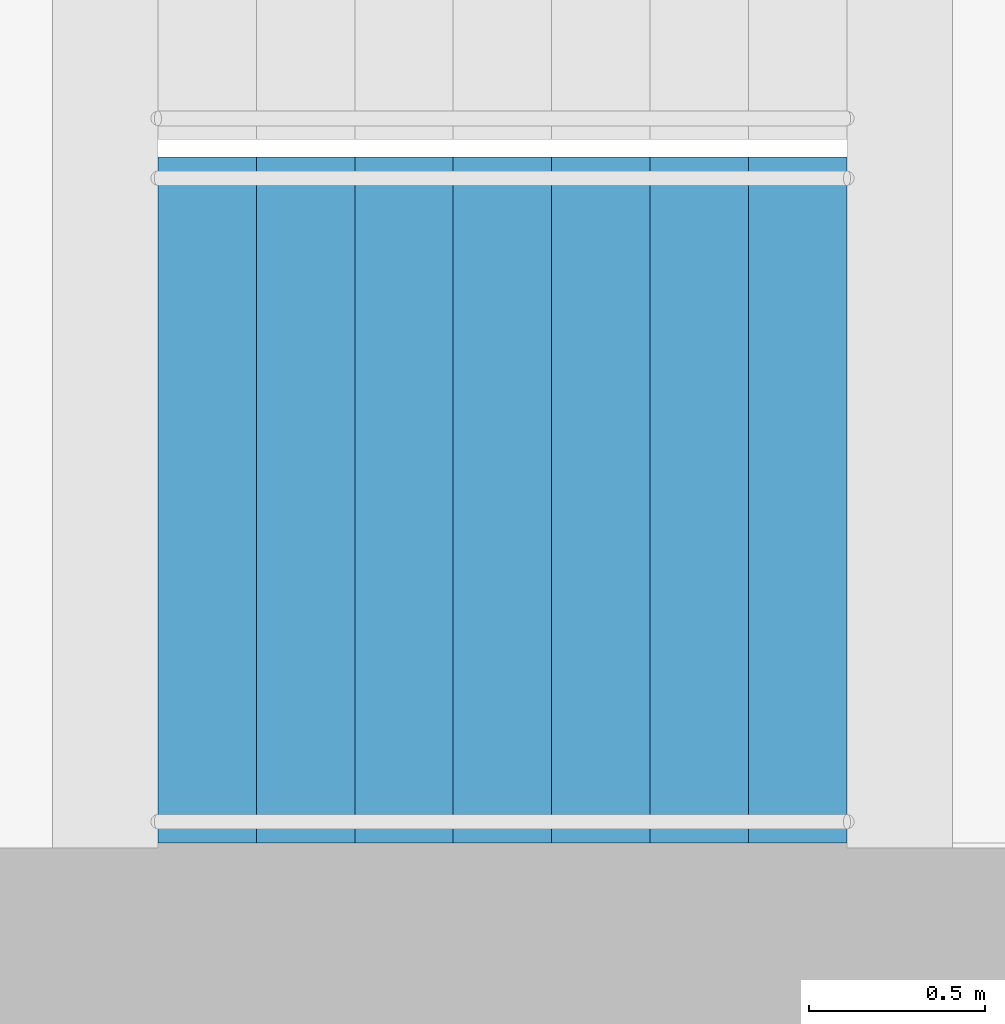
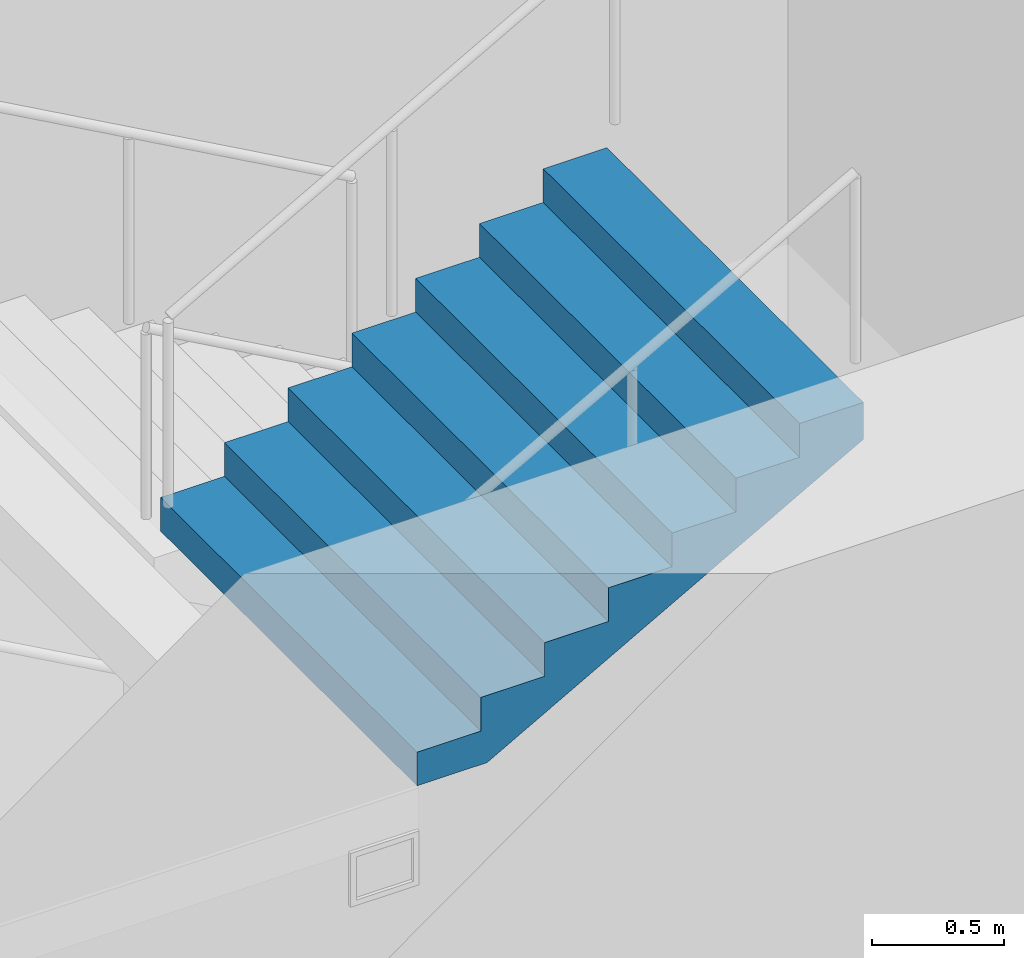
# One storey, part 25 of 37: 1 stair flight, 1 element without a shape of its own.
"""IFC4 building model written with IfcOpenShell, lengths in metres."""

from ifc_helpers import new_model, si_unit, direction, frame, origin, place, context, subcontext, project, spatial, triangles, material, type_object, element, aggregate, save


model = new_model("IFC4")

# Units and contexts
model_context = context("Model", 3, precision=1e-05, world=origin(), true_north=direction((0.0, 1.0)))
body_context = subcontext(model_context, "Body", "Model", "MODEL_VIEW")
ifc_project = project(units=[si_unit("LENGTHUNIT", "METRE"), si_unit("AREAUNIT", "SQUARE_METRE"), si_unit("VOLUMEUNIT", "CUBIC_METRE"), si_unit("PLANEANGLEUNIT", "RADIAN"), si_unit("MASSUNIT", "GRAM", prefix="KILO")], contexts=[model_context])

# Site, building, storey
site_placement = place(None, origin())
site = spatial("IfcSite", under=ifc_project, at=site_placement, CompositionType="ELEMENT")
building_placement = place(site_placement, origin())
building = spatial("IfcBuilding", under=site, at=building_placement, Name="Orbita Commons", CompositionType="ELEMENT")
storey_placement = place(building_placement, frame((0.0, 0.0, 6.0)))
storey = spatial("IfcBuildingStorey", under=building, at=storey_placement, Name="L01", CompositionType="ELEMENT", Elevation=6.0)

# Stair, stair flight
ifc_material_1 = material(Name="Precast concrete C40/50", Category="concrete")
stair_type = type_object("IfcStairType", Name="Exit stair S2 4 flights 8 risers 156", PredefinedType="HALF_TURN_STAIR", material=ifc_material_1)
stair_placement = place(storey_placement, origin())
stair = element("IfcStair", 1, at=stair_placement, inside=storey, type_object=stair_type, Name="Exit stair S2 L01", PredefinedType="HALF_TURN_STAIR")
ifc_material_2 = material(Name="Precast concrete C40/50", Category="concrete")
stair_flight_type = type_object("IfcStairFlightType", Name="Stair flight 8 risers 156 x 280", PredefinedType="STRAIGHT", material=ifc_material_2)
stair_flight_placement = place(storey_placement, frame((61.590087890625, 27.27490234375, 3.75), z_axis=(0.0, 0.0, 1.0), x_axis=(1.0, 0.0, 0.0)))
stair_flight = element("IfcStairFlight", 2, at=stair_flight_placement, type_object=stair_flight_type, Name="S2 flight 4", NumberOfRisers=8, NumberOfTreads=7, PredefinedType="STRAIGHT", RiserHeight=0.15625, TreadLength=0.28, context=body_context, shape_type="Tessellation", body=[
    triangles([(0.0, 0.974976, 0.0), (0.0, 0.974976, 0.019531), (0.0, 0.81248, 0.019531), (0.0, 0.81248, 0.0), (0.0, 0.649984, 0.019531), (0.0, 0.649984, 0.0), (0.0, 0.487488, 0.019531), (0.0, 0.487488, 0.0), (0.0, 0.324992, 0.019531), (0.0, 0.324992, 0.0), (0.0, 0.162496, 0.019531), (0.0, 0.162496, 0.0), (0.0, 0.0, 0.019531), (0.0, 0.0, 0.0), (0.0, -0.162496, 0.019531), (0.0, -0.162496, 0.0), (0.0, -0.324992, 0.019531), (0.0, -0.324992, 0.0), (0.0, -0.487488, 0.019531), (0.0, -0.487488, 0.0), (0.0, -0.649984, 0.019531), (0.0, -0.649984, 0.0), (0.0, -0.81248, 0.019531), (0.0, -0.81248, 0.0), (0.0, -0.974976, 0.019531), (0.0, -0.974976, 0.0), (0.0, 0.974976, 0.039062), (0.0, 0.81248, 0.039062), (0.0, 0.649984, 0.039062), (0.0, 0.487488, 0.039062), (0.0, 0.324992, 0.039062), (0.0, 0.162496, 0.039062), (0.0, 0.0, 0.039062), (0.0, -0.162496, 0.039062), (0.0, -0.324992, 0.039062), (0.0, -0.487488, 0.039062), (0.0, -0.649984, 0.039062), (0.0, -0.81248, 0.039062), (0.0, -0.974976, 0.039062), (0.0, 0.974976, 0.058594), (0.0, 0.81248, 0.058594), (0.0, 0.649984, 0.058594), (0.0, 0.487488, 0.058594), (0.0, 0.324992, 0.058594), (0.0, 0.162496, 0.058594), (0.0, 0.0, 0.058594), (0.0, -0.162496, 0.058594), (0.0, -0.324992, 0.058594), (0.0, -0.487488, 0.058594), (0.0, -0.649984, 0.058594), (0.0, -0.81248, 0.058594), (0.0, -0.974976, 0.058594), (0.0, 0.974976, 0.078125), (0.0, 0.81248, 0.078125), (0.0, 0.649984, 0.078125), (0.0, 0.487488, 0.078125), (0.0, 0.324992, 0.078125), (0.0, 0.162496, 0.078125), (0.0, 0.0, 0.078125), (0.0, -0.162496, 0.078125), (0.0, -0.324992, 0.078125), (0.0, -0.487488, 0.078125), (0.0, -0.649984, 0.078125), (0.0, -0.81248, 0.078125), (0.0, -0.974976, 0.078125), (0.0, 0.974976, 0.097656), (0.0, 0.81248, 0.097656), (0.0, 0.649984, 0.097656), (0.0, 0.487488, 0.097656), (0.0, 0.324992, 0.097656), (0.0, 0.162496, 0.097656), (0.0, 0.0, 0.097656), (0.0, -0.162496, 0.097656), (0.0, -0.324992, 0.097656), (0.0, -0.487488, 0.097656), (0.0, -0.649984, 0.097656), (0.0, -0.81248, 0.097656), (0.0, -0.974976, 0.097656), (0.0, 0.974976, 0.117188), (0.0, 0.81248, 0.117188), (0.0, 0.649984, 0.117188), (0.0, 0.487488, 0.117188), (0.0, 0.324992, 0.117188), (0.0, 0.162496, 0.117188), (0.0, 0.0, 0.117188), (0.0, -0.162496, 0.117188), (0.0, -0.324992, 0.117188), (0.0, -0.487488, 0.117188), (0.0, -0.649984, 0.117188), (0.0, -0.81248, 0.117188), (0.0, -0.974976, 0.117188), (0.0, 0.974976, 0.136719), (0.0, 0.81248, 0.136719), (0.0, 0.649984, 0.136719), (0.0, 0.487488, 0.136719), (0.0, 0.324992, 0.136719), (0.0, 0.162496, 0.136719), (0.0, 0.0, 0.136719), (0.0, -0.162496, 0.136719), (0.0, -0.324992, 0.136719), (0.0, -0.487488, 0.136719), (0.0, -0.649984, 0.136719), (0.0, -0.81248, 0.136719), (0.0, -0.974976, 0.136719), (0.0, 0.974976, 0.15625), (0.0, 0.81248, 0.15625), (0.0, 0.649984, 0.15625), (0.0, 0.487488, 0.15625), (0.0, 0.324992, 0.15625), (0.0, 0.162496, 0.15625), (0.0, 0.0, 0.15625), (0.0, -0.162496, 0.15625), (0.0, -0.324992, 0.15625), (0.0, -0.487488, 0.15625), (0.0, -0.649984, 0.15625), (0.0, -0.81248, 0.15625), (0.0, -0.974976, 0.15625), (0.28, 0.974976, 0.15625), (0.28, 0.81248, 0.15625), (0.28, 0.649984, 0.15625), (0.28, 0.487488, 0.15625), (0.28, 0.324992, 0.15625), (0.28, 0.162496, 0.15625), (0.28, 0.0, 0.15625), (0.28, -0.162496, 0.15625), (0.28, -0.324992, 0.15625), (0.28, -0.487488, 0.15625), (0.28, -0.649984, 0.15625), (0.28, -0.81248, 0.15625), (0.28, -0.974976, 0.15625), (0.28, 0.974976, 0.3125), (0.28, 0.81248, 0.3125), (0.28, 0.649984, 0.3125), (0.28, 0.487488, 0.3125), (0.28, 0.324992, 0.3125), (0.28, 0.162496, 0.3125), (0.28, 0.0, 0.3125), (0.28, -0.162496, 0.3125), (0.28, -0.324992, 0.3125), (0.28, -0.487488, 0.3125), (0.28, -0.649984, 0.3125), (0.28, -0.81248, 0.3125), (0.28, -0.974976, 0.3125), (0.56, 0.974976, 0.3125), (0.56, 0.81248, 0.3125), (0.56, 0.649984, 0.3125), (0.56, 0.487488, 0.3125), (0.56, 0.324992, 0.3125), (0.56, 0.162496, 0.3125), (0.56, 0.0, 0.3125), (0.56, -0.162496, 0.3125), (0.56, -0.324992, 0.3125), (0.56, -0.487488, 0.3125), (0.56, -0.649984, 0.3125), (0.56, -0.81248, 0.3125), (0.56, -0.974976, 0.3125), (0.56, 0.974976, 0.46875), (0.56, 0.81248, 0.46875), (0.56, 0.649984, 0.46875), (0.56, 0.487488, 0.46875), (0.56, 0.324992, 0.46875), (0.56, 0.162496, 0.46875), (0.56, 0.0, 0.46875), (0.56, -0.162496, 0.46875), (0.56, -0.324992, 0.46875), (0.56, -0.487488, 0.46875), (0.56, -0.649984, 0.46875), (0.56, -0.81248, 0.46875), (0.56, -0.974976, 0.46875), (0.84, 0.974976, 0.46875), (0.84, 0.81248, 0.46875), (0.84, 0.649984, 0.46875), (0.84, 0.487488, 0.46875), (0.84, 0.324992, 0.46875), (0.84, 0.162496, 0.46875), (0.84, 0.0, 0.46875), (0.84, -0.162496, 0.46875), (0.84, -0.324992, 0.46875), (0.84, -0.487488, 0.46875), (0.84, -0.649984, 0.46875), (0.84, -0.81248, 0.46875), (0.84, -0.974976, 0.46875), (0.84, 0.974976, 0.625), (0.84, 0.81248, 0.625), (0.84, 0.649984, 0.625), (0.84, 0.487488, 0.625), (0.84, 0.324992, 0.625), (0.84, 0.162496, 0.625), (0.84, 0.0, 0.625), (0.84, -0.162496, 0.625), (0.84, -0.324992, 0.625), (0.84, -0.487488, 0.625), (0.84, -0.649984, 0.625), (0.84, -0.81248, 0.625), (0.84, -0.974976, 0.625), (1.12, 0.974976, 0.625), (1.12, 0.81248, 0.625), (1.12, 0.649984, 0.625), (1.12, 0.487488, 0.625), (1.12, 0.324992, 0.625), (1.12, 0.162496, 0.625), (1.12, 0.0, 0.625), (1.12, -0.162496, 0.625), (1.12, -0.324992, 0.625), (1.12, -0.487488, 0.625), (1.12, -0.649984, 0.625), (1.12, -0.81248, 0.625), (1.12, -0.974976, 0.625), (1.12, 0.974976, 0.78125), (1.12, 0.81248, 0.78125), (1.12, 0.649984, 0.78125), (1.12, 0.487488, 0.78125), (1.12, 0.324992, 0.78125), (1.12, 0.162496, 0.78125), (1.12, 0.0, 0.78125), (1.12, -0.162496, 0.78125), (1.12, -0.324992, 0.78125), (1.12, -0.487488, 0.78125), (1.12, -0.649984, 0.78125), (1.12, -0.81248, 0.78125), (1.12, -0.974976, 0.78125), (1.4, 0.974976, 0.78125), (1.4, 0.81248, 0.78125), (1.4, 0.649984, 0.78125), (1.4, 0.487488, 0.78125), (1.4, 0.324992, 0.78125), (1.4, 0.162496, 0.78125), (1.4, 0.0, 0.78125), (1.4, -0.162496, 0.78125), (1.4, -0.324992, 0.78125), (1.4, -0.487488, 0.78125), (1.4, -0.649984, 0.78125), (1.4, -0.81248, 0.78125), (1.4, -0.974976, 0.78125), (1.4, 0.974976, 0.9375), (1.4, 0.81248, 0.9375), (1.4, 0.649984, 0.9375), (1.4, 0.487488, 0.9375), (1.4, 0.324992, 0.9375), (1.4, 0.162496, 0.9375), (1.4, 0.0, 0.9375), (1.4, -0.162496, 0.9375), (1.4, -0.324992, 0.9375), (1.4, -0.487488, 0.9375), (1.4, -0.649984, 0.9375), (1.4, -0.81248, 0.9375), (1.4, -0.974976, 0.9375), (1.68, 0.974976, 0.9375), (1.68, 0.81248, 0.9375), (1.68, 0.649984, 0.9375), (1.68, 0.487488, 0.9375), (1.68, 0.324992, 0.9375), (1.68, 0.162496, 0.9375), (1.68, 0.0, 0.9375), (1.68, -0.162496, 0.9375), (1.68, -0.324992, 0.9375), (1.68, -0.487488, 0.9375), (1.68, -0.649984, 0.9375), (1.68, -0.81248, 0.9375), (1.68, -0.974976, 0.9375), (1.68, 0.974976, 1.09375), (1.68, 0.81248, 1.09375), (1.68, 0.649984, 1.09375), (1.68, 0.487488, 1.09375), (1.68, 0.324992, 1.09375), (1.68, 0.162496, 1.09375), (1.68, 0.0, 1.09375), (1.68, -0.162496, 1.09375), (1.68, -0.324992, 1.09375), (1.68, -0.487488, 1.09375), (1.68, -0.649984, 1.09375), (1.68, -0.81248, 1.09375), (1.68, -0.974976, 1.09375), (1.96, 0.974976, 1.09375), (1.96, 0.81248, 1.09375), (1.96, 0.649984, 1.09375), (1.96, 0.487488, 1.09375), (1.96, 0.324992, 1.09375), (1.96, 0.162496, 1.09375), (1.96, 0.0, 1.09375), (1.96, -0.162496, 1.09375), (1.96, -0.324992, 1.09375), (1.96, -0.487488, 1.09375), (1.96, -0.649984, 1.09375), (1.96, -0.81248, 1.09375), (1.96, -0.974976, 1.09375), (1.96, 0.974976, 1.072292), (1.96, 0.81248, 1.072292), (1.96, 0.649984, 1.072292), (1.96, 0.487488, 1.072292), (1.96, 0.324992, 1.072292), (1.96, 0.162496, 1.072292), (1.96, 0.0, 1.072292), (1.96, -0.162496, 1.072292), (1.96, -0.324992, 1.072292), (1.96, -0.487488, 1.072292), (1.96, -0.649984, 1.072292), (1.96, -0.81248, 1.072292), (1.96, -0.974976, 1.072292), (1.96, 0.974976, 1.050834), (1.96, 0.81248, 1.050834), (1.96, 0.649984, 1.050834), (1.96, 0.487488, 1.050834), (1.96, 0.324992, 1.050834), (1.96, 0.162496, 1.050834), (1.96, 0.0, 1.050834), (1.96, -0.162496, 1.050834), (1.96, -0.324992, 1.050834), (1.96, -0.487488, 1.050834), (1.96, -0.649984, 1.050834), (1.96, -0.81248, 1.050834), (1.96, -0.974976, 1.050834), (1.96, 0.974976, 1.029376), (1.96, 0.81248, 1.029376), (1.96, 0.649984, 1.029376), (1.96, 0.487488, 1.029376), (1.96, 0.324992, 1.029376), (1.96, 0.162496, 1.029376), (1.96, 0.0, 1.029376), (1.96, -0.162496, 1.029376), (1.96, -0.324992, 1.029376), (1.96, -0.487488, 1.029376), (1.96, -0.649984, 1.029376), (1.96, -0.81248, 1.029376), (1.96, -0.974976, 1.029376), (1.96, 0.974976, 1.007919), (1.96, 0.81248, 1.007919), (1.96, 0.649984, 1.007919), (1.96, 0.487488, 1.007919), (1.96, 0.324992, 1.007919), (1.96, 0.162496, 1.007919), (1.96, 0.0, 1.007919), (1.96, -0.162496, 1.007919), (1.96, -0.324992, 1.007919), (1.96, -0.487488, 1.007919), (1.96, -0.649984, 1.007919), (1.96, -0.81248, 1.007919), (1.96, -0.974976, 1.007919), (1.96, 0.974976, 0.986461), (1.96, 0.81248, 0.986461), (1.96, 0.649984, 0.986461), (1.96, 0.487488, 0.986461), (1.96, 0.324992, 0.986461), (1.96, 0.162496, 0.986461), (1.96, 0.0, 0.986461), (1.96, -0.162496, 0.986461), (1.96, -0.324992, 0.986461), (1.96, -0.487488, 0.986461), (1.96, -0.649984, 0.986461), (1.96, -0.81248, 0.986461), (1.96, -0.974976, 0.986461), (1.96, 0.974976, 0.965003), (1.96, 0.81248, 0.965003), (1.96, 0.649984, 0.965003), (1.96, 0.487488, 0.965003), (1.96, 0.324992, 0.965003), (1.96, 0.162496, 0.965003), (1.96, 0.0, 0.965003), (1.96, -0.162496, 0.965003), (1.96, -0.324992, 0.965003), (1.96, -0.487488, 0.965003), (1.96, -0.649984, 0.965003), (1.96, -0.81248, 0.965003), (1.96, -0.974976, 0.965003), (1.96, 0.974976, 0.943545), (1.96, 0.81248, 0.943545), (1.96, 0.649984, 0.943545), (1.96, 0.487488, 0.943545), (1.96, 0.324992, 0.943545), (1.96, 0.162496, 0.943545), (1.96, 0.0, 0.943545), (1.96, -0.162496, 0.943545), (1.96, -0.324992, 0.943545), (1.96, -0.487488, 0.943545), (1.96, -0.649984, 0.943545), (1.96, -0.81248, 0.943545), (1.96, -0.974976, 0.943545), (1.96, 0.974976, 0.922087), (1.96, 0.81248, 0.922087), (1.96, 0.649984, 0.922087), (1.96, 0.487488, 0.922087), (1.96, 0.324992, 0.922087), (1.96, 0.162496, 0.922087), (1.96, 0.0, 0.922087), (1.96, -0.162496, 0.922087), (1.96, -0.324992, 0.922087), (1.96, -0.487488, 0.922087), (1.96, -0.649984, 0.922087), (1.96, -0.81248, 0.922087), (1.96, -0.974976, 0.922087), (0.30762, 0.974976, 0.0), (0.30762, 0.81248, 0.0), (0.30762, 0.649984, 0.0), (0.30762, 0.487488, 0.0), (0.30762, 0.324992, 0.0), (0.30762, 0.162496, 0.0), (0.30762, 0.0, 0.0), (0.30762, -0.162496, 0.0), (0.30762, -0.324992, 0.0), (0.30762, -0.487488, 0.0), (0.30762, -0.649984, 0.0), (0.30762, -0.81248, 0.0), (0.30762, -0.974976, 0.0)], [[3, 2, 1], [4, 3, 1], [5, 3, 4], [6, 5, 4], [7, 5, 6], [8, 7, 6], [9, 7, 8], [10, 9, 8], [11, 9, 10], [12, 11, 10], [13, 11, 12], [14, 13, 12], [15, 13, 14], [16, 15, 14], [17, 15, 16], [18, 17, 16], [19, 17, 18], [20, 19, 18], [21, 19, 20], [22, 21, 20], [23, 21, 22], [24, 23, 22], [25, 23, 24], [26, 25, 24], [28, 27, 2], [3, 28, 2], [29, 28, 3], [5, 29, 3], [30, 29, 5], [7, 30, 5], [31, 30, 7], [9, 31, 7], [32, 31, 9], [11, 32, 9], [33, 32, 11], [13, 33, 11], [34, 33, 13], [15, 34, 13], [35, 34, 15], [17, 35, 15], [36, 35, 17], [19, 36, 17], [37, 36, 19], [21, 37, 19], [38, 37, 21], [23, 38, 21], [39, 38, 23], [25, 39, 23], [41, 40, 27], [28, 41, 27], [42, 41, 28], [29, 42, 28], [43, 42, 29], [30, 43, 29], [44, 43, 30], [31, 44, 30], [45, 44, 31], [32, 45, 31], [46, 45, 32], [33, 46, 32], [47, 46, 33], [34, 47, 33], [48, 47, 34], [35, 48, 34], [49, 48, 35], [36, 49, 35], [50, 49, 36], [37, 50, 36], [51, 50, 37], [38, 51, 37], [52, 51, 38], [39, 52, 38], [54, 53, 40], [41, 54, 40], [55, 54, 41], [42, 55, 41], [56, 55, 42], [43, 56, 42], [57, 56, 43], [44, 57, 43], [58, 57, 44], [45, 58, 44], [59, 58, 45], [46, 59, 45], [60, 59, 46], [47, 60, 46], [61, 60, 47], [48, 61, 47], [62, 61, 48], [49, 62, 48], [63, 62, 49], [50, 63, 49], [64, 63, 50], [51, 64, 50], [65, 64, 51], [52, 65, 51], [67, 66, 53], [54, 67, 53], [68, 67, 54], [55, 68, 54], [69, 68, 55], [56, 69, 55], [70, 69, 56], [57, 70, 56], [71, 70, 57], [58, 71, 57], [72, 71, 58], [59, 72, 58], [73, 72, 59], [60, 73, 59], [74, 73, 60], [61, 74, 60], [75, 74, 61], [62, 75, 61], [76, 75, 62], [63, 76, 62], [77, 76, 63], [64, 77, 63], [78, 77, 64], [65, 78, 64], [80, 79, 66], [67, 80, 66], [81, 80, 67], [68, 81, 67], [82, 81, 68], [69, 82, 68], [83, 82, 69], [70, 83, 69], [84, 83, 70], [71, 84, 70], [85, 84, 71], [72, 85, 71], [86, 85, 72], [73, 86, 72], [87, 86, 73], [74, 87, 73], [88, 87, 74], [75, 88, 74], [89, 88, 75], [76, 89, 75], [90, 89, 76], [77, 90, 76], [91, 90, 77], [78, 91, 77], [93, 92, 79], [80, 93, 79], [94, 93, 80], [81, 94, 80], [95, 94, 81], [82, 95, 81], [96, 95, 82], [83, 96, 82], [97, 96, 83], [84, 97, 83], [98, 97, 84], [85, 98, 84], [99, 98, 85], [86, 99, 85], [100, 99, 86], [87, 100, 86], [101, 100, 87], [88, 101, 87], [102, 101, 88], [89, 102, 88], [103, 102, 89], [90, 103, 89], [104, 103, 90], [91, 104, 90], [106, 105, 92], [93, 106, 92], [107, 106, 93], [94, 107, 93], [108, 107, 94], [95, 108, 94], [109, 108, 95], [96, 109, 95], [110, 109, 96], [97, 110, 96], [111, 110, 97], [98, 111, 97], [112, 111, 98], [99, 112, 98], [113, 112, 99], [100, 113, 99], [114, 113, 100], [101, 114, 100], [115, 114, 101], [102, 115, 101], [116, 115, 102], [103, 116, 102], [117, 116, 103], [104, 117, 103], [119, 118, 105], [106, 119, 105], [120, 119, 106], [107, 120, 106], [121, 120, 107], [108, 121, 107], [122, 121, 108], [109, 122, 108], [123, 122, 109], [110, 123, 109], [124, 123, 110], [111, 124, 110], [125, 124, 111], [112, 125, 111], [126, 125, 112], [113, 126, 112], [127, 126, 113], [114, 127, 113], [128, 127, 114], [115, 128, 114], [129, 128, 115], [116, 129, 115], [130, 129, 116], [117, 130, 116], [132, 131, 118], [119, 132, 118], [133, 132, 119], [120, 133, 119], [134, 133, 120], [121, 134, 120], [135, 134, 121], [122, 135, 121], [136, 135, 122], [123, 136, 122], [137, 136, 123], [124, 137, 123], [138, 137, 124], [125, 138, 124], [139, 138, 125], [126, 139, 125], [140, 139, 126], [127, 140, 126], [141, 140, 127], [128, 141, 127], [142, 141, 128], [129, 142, 128], [143, 142, 129], [130, 143, 129], [145, 144, 131], [132, 145, 131], [146, 145, 132], [133, 146, 132], [147, 146, 133], [134, 147, 133], [148, 147, 134], [135, 148, 134], [149, 148, 135], [136, 149, 135], [150, 149, 136], [137, 150, 136], [151, 150, 137], [138, 151, 137], [152, 151, 138], [139, 152, 138], [153, 152, 139], [140, 153, 139], [154, 153, 140], [141, 154, 140], [155, 154, 141], [142, 155, 141], [156, 155, 142], [143, 156, 142], [158, 157, 144], [145, 158, 144], [159, 158, 145], [146, 159, 145], [160, 159, 146], [147, 160, 146], [161, 160, 147], [148, 161, 147], [162, 161, 148], [149, 162, 148], [163, 162, 149], [150, 163, 149], [164, 163, 150], [151, 164, 150], [165, 164, 151], [152, 165, 151], [166, 165, 152], [153, 166, 152], [167, 166, 153], [154, 167, 153], [168, 167, 154], [155, 168, 154], [169, 168, 155], [156, 169, 155], [171, 170, 157], [158, 171, 157], [172, 171, 158], [159, 172, 158], [173, 172, 159], [160, 173, 159], [174, 173, 160], [161, 174, 160], [175, 174, 161], [162, 175, 161], [176, 175, 162], [163, 176, 162], [177, 176, 163], [164, 177, 163], [178, 177, 164], [165, 178, 164], [179, 178, 165], [166, 179, 165], [180, 179, 166], [167, 180, 166], [181, 180, 167], [168, 181, 167], [182, 181, 168], [169, 182, 168], [184, 183, 170], [171, 184, 170], [185, 184, 171], [172, 185, 171], [186, 185, 172], [173, 186, 172], [187, 186, 173], [174, 187, 173], [188, 187, 174], [175, 188, 174], [189, 188, 175], [176, 189, 175], [190, 189, 176], [177, 190, 176], [191, 190, 177], [178, 191, 177], [192, 191, 178], [179, 192, 178], [193, 192, 179], [180, 193, 179], [194, 193, 180], [181, 194, 180], [195, 194, 181], [182, 195, 181], [197, 196, 183], [184, 197, 183], [198, 197, 184], [185, 198, 184], [199, 198, 185], [186, 199, 185], [200, 199, 186], [187, 200, 186], [201, 200, 187], [188, 201, 187], [202, 201, 188], [189, 202, 188], [203, 202, 189], [190, 203, 189], [204, 203, 190], [191, 204, 190], [205, 204, 191], [192, 205, 191], [206, 205, 192], [193, 206, 192], [207, 206, 193], [194, 207, 193], [208, 207, 194], [195, 208, 194], [210, 209, 196], [197, 210, 196], [211, 210, 197], [198, 211, 197], [212, 211, 198], [199, 212, 198], [213, 212, 199], [200, 213, 199], [214, 213, 200], [201, 214, 200], [215, 214, 201], [202, 215, 201], [216, 215, 202], [203, 216, 202], [217, 216, 203], [204, 217, 203], [218, 217, 204], [205, 218, 204], [219, 218, 205], [206, 219, 205], [220, 219, 206], [207, 220, 206], [221, 220, 207], [208, 221, 207], [223, 222, 209], [210, 223, 209], [224, 223, 210], [211, 224, 210], [225, 224, 211], [212, 225, 211], [226, 225, 212], [213, 226, 212], [227, 226, 213], [214, 227, 213], [228, 227, 214], [215, 228, 214], [229, 228, 215], [216, 229, 215], [230, 229, 216], [217, 230, 216], [231, 230, 217], [218, 231, 217], [232, 231, 218], [219, 232, 218], [233, 232, 219], [220, 233, 219], [234, 233, 220], [221, 234, 220], [236, 235, 222], [223, 236, 222], [237, 236, 223], [224, 237, 223], [238, 237, 224], [225, 238, 224], [239, 238, 225], [226, 239, 225], [240, 239, 226], [227, 240, 226], [241, 240, 227], [228, 241, 227], [242, 241, 228], [229, 242, 228], [243, 242, 229], [230, 243, 229], [244, 243, 230], [231, 244, 230], [245, 244, 231], [232, 245, 231], [246, 245, 232], [233, 246, 232], [247, 246, 233], [234, 247, 233], [249, 248, 235], [236, 249, 235], [250, 249, 236], [237, 250, 236], [251, 250, 237], [238, 251, 237], [252, 251, 238], [239, 252, 238], [253, 252, 239], [240, 253, 239], [254, 253, 240], [241, 254, 240], [255, 254, 241], [242, 255, 241], [256, 255, 242], [243, 256, 242], [257, 256, 243], [244, 257, 243], [258, 257, 244], [245, 258, 244], [259, 258, 245], [246, 259, 245], [260, 259, 246], [247, 260, 246], [262, 261, 248], [249, 262, 248], [263, 262, 249], [250, 263, 249], [264, 263, 250], [251, 264, 250], [265, 264, 251], [252, 265, 251], [266, 265, 252], [253, 266, 252], [267, 266, 253], [254, 267, 253], [268, 267, 254], [255, 268, 254], [269, 268, 255], [256, 269, 255], [270, 269, 256], [257, 270, 256], [271, 270, 257], [258, 271, 257], [272, 271, 258], [259, 272, 258], [273, 272, 259], [260, 273, 259], [275, 274, 261], [262, 275, 261], [276, 275, 262], [263, 276, 262], [277, 276, 263], [264, 277, 263], [278, 277, 264], [265, 278, 264], [279, 278, 265], [266, 279, 265], [280, 279, 266], [267, 280, 266], [281, 280, 267], [268, 281, 267], [282, 281, 268], [269, 282, 268], [283, 282, 269], [270, 283, 269], [284, 283, 270], [271, 284, 270], [285, 284, 271], [272, 285, 271], [286, 285, 272], [273, 286, 272], [288, 287, 274], [275, 288, 274], [289, 288, 275], [276, 289, 275], [290, 289, 276], [277, 290, 276], [291, 290, 277], [278, 291, 277], [292, 291, 278], [279, 292, 278], [293, 292, 279], [280, 293, 279], [294, 293, 280], [281, 294, 280], [295, 294, 281], [282, 295, 281], [296, 295, 282], [283, 296, 282], [297, 296, 283], [284, 297, 283], [298, 297, 284], [285, 298, 284], [299, 298, 285], [286, 299, 285], [301, 300, 287], [288, 301, 287], [302, 301, 288], [289, 302, 288], [303, 302, 289], [290, 303, 289], [304, 303, 290], [291, 304, 290], [305, 304, 291], [292, 305, 291], [306, 305, 292], [293, 306, 292], [307, 306, 293], [294, 307, 293], [308, 307, 294], [295, 308, 294], [309, 308, 295], [296, 309, 295], [310, 309, 296], [297, 310, 296], [311, 310, 297], [298, 311, 297], [312, 311, 298], [299, 312, 298], [314, 313, 300], [301, 314, 300], [315, 314, 301], [302, 315, 301], [316, 315, 302], [303, 316, 302], [317, 316, 303], [304, 317, 303], [318, 317, 304], [305, 318, 304], [319, 318, 305], [306, 319, 305], [320, 319, 306], [307, 320, 306], [321, 320, 307], [308, 321, 307], [322, 321, 308], [309, 322, 308], [323, 322, 309], [310, 323, 309], [324, 323, 310], [311, 324, 310], [325, 324, 311], [312, 325, 311], [327, 326, 313], [314, 327, 313], [328, 327, 314], [315, 328, 314], [329, 328, 315], [316, 329, 315], [330, 329, 316], [317, 330, 316], [331, 330, 317], [318, 331, 317], [332, 331, 318], [319, 332, 318], [333, 332, 319], [320, 333, 319], [334, 333, 320], [321, 334, 320], [335, 334, 321], [322, 335, 321], [336, 335, 322], [323, 336, 322], [337, 336, 323], [324, 337, 323], [338, 337, 324], [325, 338, 324], [340, 339, 326], [327, 340, 326], [341, 340, 327], [328, 341, 327], [342, 341, 328], [329, 342, 328], [343, 342, 329], [330, 343, 329], [344, 343, 330], [331, 344, 330], [345, 344, 331], [332, 345, 331], [346, 345, 332], [333, 346, 332], [347, 346, 333], [334, 347, 333], [348, 347, 334], [335, 348, 334], [349, 348, 335], [336, 349, 335], [350, 349, 336], [337, 350, 336], [351, 350, 337], [338, 351, 337], [353, 352, 339], [340, 353, 339], [354, 353, 340], [341, 354, 340], [355, 354, 341], [342, 355, 341], [356, 355, 342], [343, 356, 342], [357, 356, 343], [344, 357, 343], [358, 357, 344], [345, 358, 344], [359, 358, 345], [346, 359, 345], [360, 359, 346], [347, 360, 346], [361, 360, 347], [348, 361, 347], [362, 361, 348], [349, 362, 348], [363, 362, 349], [350, 363, 349], [364, 363, 350], [351, 364, 350], [366, 365, 352], [353, 366, 352], [367, 366, 353], [354, 367, 353], [368, 367, 354], [355, 368, 354], [369, 368, 355], [356, 369, 355], [370, 369, 356], [357, 370, 356], [371, 370, 357], [358, 371, 357], [372, 371, 358], [359, 372, 358], [373, 372, 359], [360, 373, 359], [374, 373, 360], [361, 374, 360], [375, 374, 361], [362, 375, 361], [376, 375, 362], [363, 376, 362], [377, 376, 363], [364, 377, 363], [379, 378, 365], [366, 379, 365], [380, 379, 366], [367, 380, 366], [381, 380, 367], [368, 381, 367], [382, 381, 368], [369, 382, 368], [383, 382, 369], [370, 383, 369], [384, 383, 370], [371, 384, 370], [385, 384, 371], [372, 385, 371], [386, 385, 372], [373, 386, 372], [387, 386, 373], [374, 387, 373], [388, 387, 374], [375, 388, 374], [389, 388, 375], [376, 389, 375], [390, 389, 376], [377, 390, 376], [392, 391, 378], [379, 392, 378], [393, 392, 379], [380, 393, 379], [394, 393, 380], [381, 394, 380], [395, 394, 381], [382, 395, 381], [396, 395, 382], [383, 396, 382], [397, 396, 383], [384, 397, 383], [398, 397, 384], [385, 398, 384], [399, 398, 385], [386, 399, 385], [400, 399, 386], [387, 400, 386], [401, 400, 387], [388, 401, 387], [402, 401, 388], [389, 402, 388], [403, 402, 389], [390, 403, 389], [4, 1, 391], [392, 4, 391], [6, 4, 392], [393, 6, 392], [8, 6, 393], [394, 8, 393], [10, 8, 394], [395, 10, 394], [12, 10, 395], [396, 12, 395], [14, 12, 396], [397, 14, 396], [16, 14, 397], [398, 16, 397], [18, 16, 398], [399, 18, 398], [20, 18, 399], [400, 20, 399], [22, 20, 400], [401, 22, 400], [24, 22, 401], [402, 24, 401], [26, 24, 402], [403, 26, 402], [378, 391, 1], [26, 403, 390], [365, 378, 1], [26, 390, 377], [352, 365, 1], [26, 377, 364], [339, 352, 1], [26, 364, 351], [326, 339, 1], [26, 351, 338], [313, 326, 1], [26, 338, 325], [300, 313, 1], [26, 325, 312], [287, 300, 1], [26, 312, 299], [261, 274, 287], [299, 286, 273], [248, 261, 287], [299, 273, 260], [222, 235, 248], [260, 247, 234], [222, 248, 287], [299, 260, 234], [196, 209, 222], [234, 221, 208], [196, 222, 287], [299, 234, 208], [170, 183, 196], [208, 195, 182], [170, 196, 287], [299, 208, 182], [144, 157, 170], [182, 169, 156], [144, 170, 287], [299, 182, 156], [118, 131, 144], [156, 143, 130], [118, 144, 287], [299, 156, 130], [118, 287, 1], [26, 299, 130], [92, 105, 118], [130, 117, 104], [79, 92, 118], [130, 104, 91], [66, 79, 118], [130, 91, 78], [53, 66, 118], [130, 78, 65], [40, 53, 118], [130, 65, 52], [27, 40, 118], [130, 52, 39], [2, 27, 118], [130, 39, 25], [1, 2, 118], [130, 25, 26]], closed=True),
])
aggregate(stair, [stair_flight])

save(model, "model.ifc")
